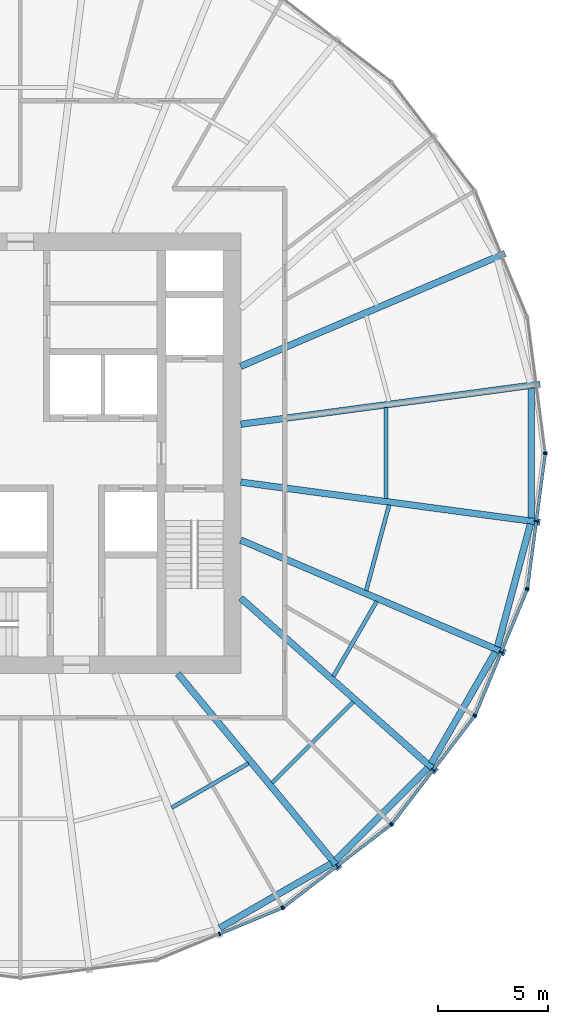
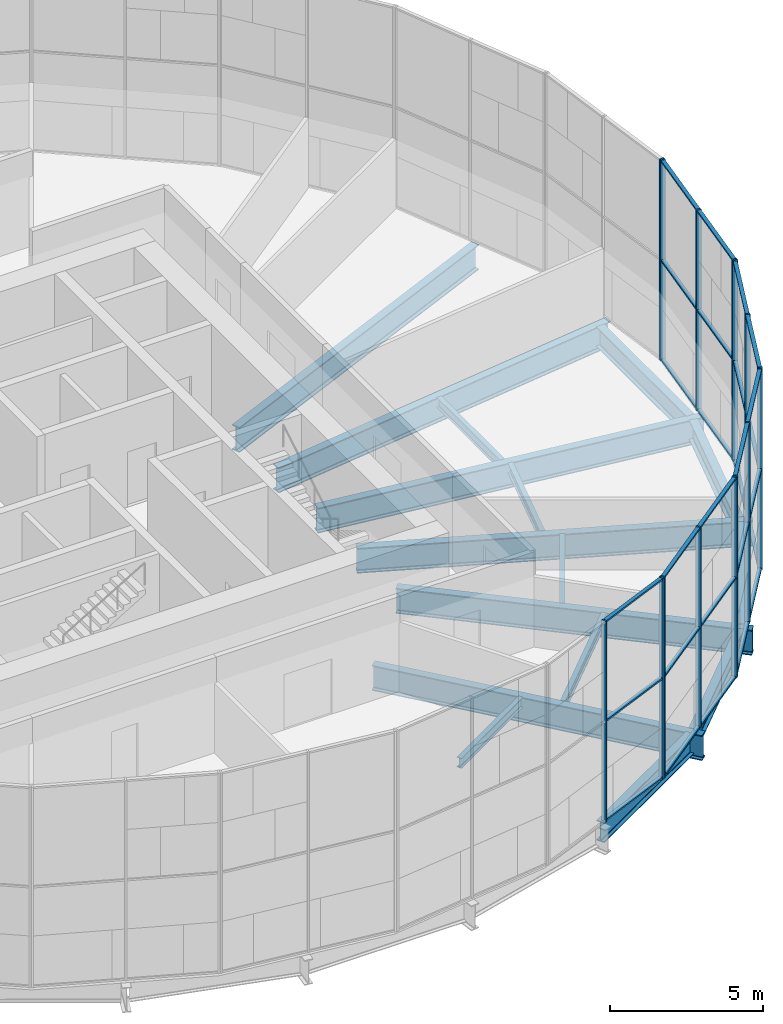
# One storey, part 4 of 18: 42 members, 16 beams, 6 elements without a shape of their own.
"""IFC4 building model written with IfcOpenShell, lengths in metres."""

from ifc_helpers import new_model, si_unit, direction, frame, origin, origin_2d, place, context, subcontext, project, spatial, rectangle, i_section, extrude, material, material_profile, profile_set, type_object, element, aggregate, save


model = new_model("IFC4")

# Units and contexts
model_context = context("Model", 3, precision=1e-05, world=origin(), true_north=direction((0.0, 1.0)))
body_context = subcontext(model_context, "Body", "Model", "MODEL_VIEW")
ifc_project = project(units=[si_unit("LENGTHUNIT", "METRE"), si_unit("AREAUNIT", "SQUARE_METRE"), si_unit("VOLUMEUNIT", "CUBIC_METRE"), si_unit("PLANEANGLEUNIT", "RADIAN"), si_unit("MASSUNIT", "GRAM", prefix="KILO")], contexts=[model_context])

# Site, building, storey
site_placement = place(None, origin())
site = spatial("IfcSite", under=ifc_project, at=site_placement, CompositionType="ELEMENT")
building_placement = place(site_placement, origin())
building = spatial("IfcBuilding", under=site, at=building_placement, Name="Golbaran Civic Tower", CompositionType="ELEMENT")
storey_placement = place(building_placement, frame((0.0, 0.0, 61.0)))
storey = spatial("IfcBuildingStorey", under=building, at=storey_placement, Name="L14", CompositionType="ELEMENT", Elevation=61.0)

# Beams
ifc_material_1 = material(Name="Steel S355", Category="steel")
ifc_material_profile_1 = material_profile(ifc_material_1, i_section(OverallWidth=0.300048828125, OverallDepth=0.800048828125, WebThickness=0.017578125, FlangeThickness=0.032958984375, FilletRadius=0.030029296875, at=origin_2d()), Name="HEB 800")
ifc_profile_set_1 = profile_set([ifc_material_profile_1], Name="Steel S355")
beam_type_1 = type_object("IfcBeamType", Name="EDGE BEAM HEB 800", PredefinedType="BEAM", material=ifc_profile_set_1)
beam_1_placement = place(storey_placement, frame((9.04541015625, -21.544677734375, -0.60009765625), z_axis=(0.866302963931, 0.499518943269, 0.0), x_axis=(-0.499518943269, 0.866302963931, 0.0)))
element("IfcBeam", 1, at=beam_1_placement, inside=storey, type_object=beam_type_1, Name="Edge beam 292.43 L14", PredefinedType="BEAM", context=body_context, shape_type="SweptSolid", body=[
    extrude(i_section(OverallWidth=0.300048828125, OverallDepth=0.800048828125, WebThickness=0.017578125, FlangeThickness=0.032958984375, FilletRadius=0.030029296875, at=origin_2d()), origin(), (0.0, 0.0, 1.0), 5.850830078125),
])
beam_2_placement = place(storey_placement, frame((14.320556640625, -18.4638671875, -0.60009765625), z_axis=(0.706526914156, 0.707686173083, 0.0), x_axis=(-0.707686173083, 0.706526914156, 0.0)))
element("IfcBeam", 2, at=beam_2_placement, inside=storey, type_object=beam_type_1, Name="Edge beam 307.57 L14", PredefinedType="BEAM", context=body_context, shape_type="SweptSolid", body=[
    extrude(i_section(OverallWidth=0.300048828125, OverallDepth=0.800048828125, WebThickness=0.017578125, FlangeThickness=0.032958984375, FilletRadius=0.030029296875, at=origin_2d()), origin(), (0.0, 0.0, 1.0), 5.896728515625),
])
beam_3_placement = place(storey_placement, frame((18.64501953125, -14.08349609375, -0.60009765625), z_axis=(0.49836662023, 0.866966384493, 0.0), x_axis=(-0.866966384493, 0.49836662023, 0.0)))
element("IfcBeam", 3, at=beam_3_placement, inside=storey, type_object=beam_type_1, Name="Edge beam 322.43 L14", PredefinedType="BEAM", context=body_context, shape_type="SweptSolid", body=[
    extrude(i_section(OverallWidth=0.300048828125, OverallDepth=0.800048828125, WebThickness=0.017578125, FlangeThickness=0.032958984375, FilletRadius=0.030029296875, at=origin_2d()), origin(), (0.0, 0.0, 1.0), 5.837890625),
])
beam_4_placement = place(storey_placement, frame((21.653564453125, -8.781982421875, -0.60009765625), z_axis=(0.258518279103, 0.966006366112, 0.0), x_axis=(-0.966006366112, 0.258518279103, 0.0)))
element("IfcBeam", 4, at=beam_4_placement, inside=storey, type_object=beam_type_1, Name="Edge beam 337.57 L14", PredefinedType="BEAM", context=body_context, shape_type="SweptSolid", body=[
    extrude(i_section(OverallWidth=0.300048828125, OverallDepth=0.800048828125, WebThickness=0.017578125, FlangeThickness=0.032958984375, FilletRadius=0.030029296875, at=origin_2d()), origin(), (0.0, 0.0, 1.0), 5.771240234375),
])
beam_5_placement = place(storey_placement, frame((23.179443359375, -2.94921875, -0.60009765625), z_axis=(0.0, 1.0, 0.0), x_axis=(-1.0, 0.0, 0.0)))
element("IfcBeam", 5, at=beam_5_placement, inside=storey, type_object=beam_type_1, Name="Edge beam 352.43 L14", PredefinedType="BEAM", context=body_context, shape_type="SweptSolid", body=[
    extrude(i_section(OverallWidth=0.300048828125, OverallDepth=0.800048828125, WebThickness=0.017578125, FlangeThickness=0.032958984375, FilletRadius=0.030029296875, at=origin_2d()), origin(), (0.0, 0.0, 1.0), 5.8984375),
])
ifc_material_profile_2 = material_profile(ifc_material_1, i_section(OverallWidth=0.179931640625, OverallDepth=0.39990234375, WebThickness=0.008544921875, FlangeThickness=0.013427734375, FilletRadius=0.02099609375, at=origin_2d()), Name="IPE 400")
ifc_profile_set_2 = profile_set([ifc_material_profile_2], Name="Steel S355")
beam_type_2 = type_object("IfcBeamType", Name="FLOOR INFILL BEAM IPE 400", PredefinedType="BEAM", material=ifc_profile_set_2)
beam_6_placement = place(storey_placement, frame((6.8623046875, -16.089111328125, -0.39990234375), z_axis=(0.866033119956, 0.499986634961, 0.0), x_axis=(-0.499986634961, 0.866033119956, 0.0)))
element("IfcBeam", 6, at=beam_6_placement, inside=storey, type_object=beam_type_2, Name="Infill beam 300.00 L14", PredefinedType="BEAM", context=body_context, shape_type="SweptSolid", body=[
    extrude(i_section(OverallWidth=0.179931640625, OverallDepth=0.39990234375, WebThickness=0.008544921875, FlangeThickness=0.013427734375, FilletRadius=0.02099609375, at=origin_2d()), origin(), (0.0, 0.0, 1.0), 4.0263671875),
])
beam_7_placement = place(storey_placement, frame((11.424072265625, -14.96630859375, -0.39990234375), z_axis=(0.707106781187, 0.707106781187, 0.0), x_axis=(-0.707106781187, 0.707106781187, 0.0)))
element("IfcBeam", 7, at=beam_7_placement, inside=storey, type_object=beam_type_2, Name="Infill beam 315.00 L14", PredefinedType="BEAM", context=body_context, shape_type="SweptSolid", body=[
    extrude(i_section(OverallWidth=0.179931640625, OverallDepth=0.39990234375, WebThickness=0.008544921875, FlangeThickness=0.013427734375, FilletRadius=0.02099609375, at=origin_2d()), origin(), (0.0, 0.0, 1.0), 5.20654296875),
])
beam_8_placement = place(storey_placement, frame((14.201416015625, -10.1328125, -0.39990234375), z_axis=(0.499985342893, 0.866033865904, 0.0), x_axis=(-0.866033865904, 0.499985342893, 0.0)))
element("IfcBeam", 8, at=beam_8_placement, inside=storey, type_object=beam_type_2, Name="Infill beam 330.00 L14", PredefinedType="BEAM", context=body_context, shape_type="SweptSolid", body=[
    extrude(i_section(OverallWidth=0.179931640625, OverallDepth=0.39990234375, WebThickness=0.008544921875, FlangeThickness=0.013427734375, FilletRadius=0.02099609375, at=origin_2d()), origin(), (0.0, 0.0, 1.0), 3.93896484375),
])
beam_9_placement = place(storey_placement, frame((15.69140625, -6.23388671875, -0.39990234375), z_axis=(0.258863474337, 0.965913920416, 0.0), x_axis=(-0.965913920416, 0.258863474337, 0.0)))
element("IfcBeam", 9, at=beam_9_placement, inside=storey, type_object=beam_type_2, Name="Infill beam 345.00 L14", PredefinedType="BEAM", context=body_context, shape_type="SweptSolid", body=[
    extrude(i_section(OverallWidth=0.179931640625, OverallDepth=0.39990234375, WebThickness=0.008544921875, FlangeThickness=0.013427734375, FilletRadius=0.02099609375, at=origin_2d()), origin(), (0.0, 0.0, 1.0), 4.0234375),
])
beam_10_placement = place(storey_placement, frame((16.58984375, -2.066162109375, -0.39990234375), z_axis=(0.0, 1.0, 0.0), x_axis=(-1.0, 0.0, 0.0)))
element("IfcBeam", 10, at=beam_10_placement, inside=storey, type_object=beam_type_2, Name="Infill beam 0.00 L14", PredefinedType="BEAM", context=body_context, shape_type="SweptSolid", body=[
    extrude(i_section(OverallWidth=0.179931640625, OverallDepth=0.39990234375, WebThickness=0.008544921875, FlangeThickness=0.013427734375, FilletRadius=0.02099609375, at=origin_2d()), origin(), (0.0, 0.0, 1.0), 4.13232421875),
])

# Curtain wall, member
ifc_material_2 = material(Name="Aluminium and glass", Category="aluminium")
curtain_wall_type = type_object("IfcCurtainWallType", Name="INNER SKIN CURTAIN WALL", PredefinedType="NOTDEFINED", material=ifc_material_2)
curtain_wall_1_placement = place(storey_placement, origin())
curtain_wall_1 = element("IfcCurtainWall", 11, at=curtain_wall_1_placement, inside=storey, type_object=curtain_wall_type, Name="Inner skin L14 facet 1 CW1", ObjectType="INNER SKIN", PredefinedType="USERDEFINED")
ifc_material_3 = material(Name="Aluminium", Category="aluminium")
ifc_material_profile_3 = material_profile(ifc_material_3, rectangle(XDim=0.179931640625, YDim=0.06494140625, at=origin_2d()), Name="INNER SKIN CURTAIN WALL MULLION")
ifc_profile_set_3 = profile_set([ifc_material_profile_3], Name="Aluminium")
member_type_1 = type_object("IfcMemberType", Name="INNER SKIN CURTAIN WALL MULLION", PredefinedType="MULLION", material=ifc_profile_set_3)
member_1_placement = place(storey_placement, frame((23.812744140625, 0.0322265625, 0.0), z_axis=(0.0, 0.0, 1.0), x_axis=(-0.991444861378, -0.130526192185, 0.0)))
member_1 = element("IfcMember", 12, at=member_1_placement, type_object=member_type_1, Name="CW1 mullion 1", PredefinedType="MULLION", context=body_context, shape_type="SweptSolid", body=[
    extrude(rectangle(XDim=0.179931640625, YDim=0.06494140625, at=origin_2d()), origin(), (0.0, 0.0, 1.0), 8.0),
])
aggregate(curtain_wall_1, [member_1])

# Curtain wall, members
curtain_wall_2_placement = place(storey_placement, origin())
curtain_wall_2 = element("IfcCurtainWall", 13, at=curtain_wall_2_placement, inside=storey, type_object=curtain_wall_type, Name="Inner skin L14 facet 20 CW1", ObjectType="INNER SKIN", PredefinedType="USERDEFINED")
member_2_placement = place(storey_placement, frame((9.036376953125, -21.815673828125, 0.0), z_axis=(0.0, 0.0, 1.0), x_axis=(-0.382683432381, 0.923879532505, 0.0)))
member_2 = element("IfcMember", 14, at=member_2_placement, type_object=member_type_1, Name="CW1 mullion 2", PredefinedType="MULLION", context=body_context, shape_type="SweptSolid", body=[
    extrude(rectangle(XDim=0.179931640625, YDim=0.06494140625, at=origin_2d()), origin(), (0.0, 0.0, 1.0), 8.0),
])
member_3_placement = place(storey_placement, frame((11.87841796875, -20.638671875, 0.0), z_axis=(0.0, 0.0, 1.0), x_axis=(-0.382683432381, 0.923879532505, 0.0)))
member_3 = element("IfcMember", 15, at=member_3_placement, type_object=member_type_1, Name="CW1 mullion 3", PredefinedType="MULLION", context=body_context, shape_type="SweptSolid", body=[
    extrude(rectangle(XDim=0.179931640625, YDim=0.06494140625, at=origin_2d()), origin(), (0.0, 0.0, 1.0), 8.0),
])

curtain_wall_3_placement = place(storey_placement, origin())
curtain_wall_3 = element("IfcCurtainWall", 16, at=curtain_wall_3_placement, inside=storey, type_object=curtain_wall_type, Name="Inner skin L14 facet 21 CW1", ObjectType="INNER SKIN", PredefinedType="USERDEFINED")
member_4_placement = place(storey_placement, frame((11.934326171875, -20.6064453125, 0.0), z_axis=(0.0, 0.0, 1.0), x_axis=(-0.608761428926, 0.793353340355, 0.0)))
member_4 = element("IfcMember", 17, at=member_4_placement, type_object=member_type_1, Name="CW1 mullion 1", PredefinedType="MULLION", context=body_context, shape_type="SweptSolid", body=[
    extrude(rectangle(XDim=0.179931640625, YDim=0.06494140625, at=origin_2d()), origin(), (0.0, 0.0, 1.0), 8.0),
])
member_5_placement = place(storey_placement, frame((14.374755859375, -18.733642578125, 0.0), z_axis=(0.0, 0.0, 1.0), x_axis=(-0.608761428926, 0.793353340355, 0.0)))
member_5 = element("IfcMember", 18, at=member_5_placement, type_object=member_type_1, Name="CW1 mullion 2", PredefinedType="MULLION", context=body_context, shape_type="SweptSolid", body=[
    extrude(rectangle(XDim=0.179931640625, YDim=0.06494140625, at=origin_2d()), origin(), (0.0, 0.0, 1.0), 8.0),
])
member_6_placement = place(storey_placement, frame((16.8154296875, -16.86083984375, 0.0), z_axis=(0.0, 0.0, 1.0), x_axis=(-0.608761428926, 0.793353340355, 0.0)))
member_6 = element("IfcMember", 19, at=member_6_placement, type_object=member_type_1, Name="CW1 mullion 3", PredefinedType="MULLION", context=body_context, shape_type="SweptSolid", body=[
    extrude(rectangle(XDim=0.179931640625, YDim=0.06494140625, at=origin_2d()), origin(), (0.0, 0.0, 1.0), 8.0),
])

curtain_wall_4_placement = place(storey_placement, origin())
curtain_wall_4 = element("IfcCurtainWall", 20, at=curtain_wall_4_placement, inside=storey, type_object=curtain_wall_type, Name="Inner skin L14 facet 22 CW1", ObjectType="INNER SKIN", PredefinedType="USERDEFINED")
member_7_placement = place(storey_placement, frame((16.86083984375, -16.8154296875, 0.0), z_axis=(0.0, 0.0, 1.0), x_axis=(-0.793353340355, 0.608761428926, 0.0)))
member_7 = element("IfcMember", 21, at=member_7_placement, type_object=member_type_1, Name="CW1 mullion 1", PredefinedType="MULLION", context=body_context, shape_type="SweptSolid", body=[
    extrude(rectangle(XDim=0.179931640625, YDim=0.06494140625, at=origin_2d()), origin(), (0.0, 0.0, 1.0), 8.0),
])
member_8_placement = place(storey_placement, frame((18.733642578125, -14.374755859375, 0.0), z_axis=(0.0, 0.0, 1.0), x_axis=(-0.793353340355, 0.608761428926, 0.0)))
member_8 = element("IfcMember", 22, at=member_8_placement, type_object=member_type_1, Name="CW1 mullion 2", PredefinedType="MULLION", context=body_context, shape_type="SweptSolid", body=[
    extrude(rectangle(XDim=0.179931640625, YDim=0.06494140625, at=origin_2d()), origin(), (0.0, 0.0, 1.0), 8.0),
])
member_9_placement = place(storey_placement, frame((20.6064453125, -11.934326171875, 0.0), z_axis=(0.0, 0.0, 1.0), x_axis=(-0.793353340355, 0.608761428926, 0.0)))
member_9 = element("IfcMember", 23, at=member_9_placement, type_object=member_type_1, Name="CW1 mullion 3", PredefinedType="MULLION", context=body_context, shape_type="SweptSolid", body=[
    extrude(rectangle(XDim=0.179931640625, YDim=0.06494140625, at=origin_2d()), origin(), (0.0, 0.0, 1.0), 8.0),
])

curtain_wall_5_placement = place(storey_placement, origin())
curtain_wall_5 = element("IfcCurtainWall", 24, at=curtain_wall_5_placement, inside=storey, type_object=curtain_wall_type, Name="Inner skin L14 facet 23 CW1", ObjectType="INNER SKIN", PredefinedType="USERDEFINED")
member_10_placement = place(storey_placement, frame((20.638671875, -11.87841796875, 0.0), z_axis=(0.0, 0.0, 1.0), x_axis=(-0.923879532505, 0.382683432381, 0.0)))
member_10 = element("IfcMember", 25, at=member_10_placement, type_object=member_type_1, Name="CW1 mullion 1", PredefinedType="MULLION", context=body_context, shape_type="SweptSolid", body=[
    extrude(rectangle(XDim=0.179931640625, YDim=0.06494140625, at=origin_2d()), origin(), (0.0, 0.0, 1.0), 8.0),
])
member_11_placement = place(storey_placement, frame((21.815673828125, -9.036376953125, 0.0), z_axis=(0.0, 0.0, 1.0), x_axis=(-0.923879532505, 0.382683432381, 0.0)))
member_11 = element("IfcMember", 26, at=member_11_placement, type_object=member_type_1, Name="CW1 mullion 2", PredefinedType="MULLION", context=body_context, shape_type="SweptSolid", body=[
    extrude(rectangle(XDim=0.179931640625, YDim=0.06494140625, at=origin_2d()), origin(), (0.0, 0.0, 1.0), 8.0),
])
member_12_placement = place(storey_placement, frame((22.992919921875, -6.1943359375, 0.0), z_axis=(0.0, 0.0, 1.0), x_axis=(-0.923879532505, 0.382683432381, 0.0)))
member_12 = element("IfcMember", 27, at=member_12_placement, type_object=member_type_1, Name="CW1 mullion 3", PredefinedType="MULLION", context=body_context, shape_type="SweptSolid", body=[
    extrude(rectangle(XDim=0.179931640625, YDim=0.06494140625, at=origin_2d()), origin(), (0.0, 0.0, 1.0), 8.0),
])

curtain_wall_6_placement = place(storey_placement, origin())
curtain_wall_6 = element("IfcCurtainWall", 28, at=curtain_wall_6_placement, inside=storey, type_object=curtain_wall_type, Name="Inner skin L14 facet 24 CW1", ObjectType="INNER SKIN", PredefinedType="USERDEFINED")
member_13_placement = place(storey_placement, frame((23.009765625, -6.132080078125, 0.0), z_axis=(0.0, 0.0, 1.0), x_axis=(-0.991444861378, 0.130526192185, 0.0)))
member_13 = element("IfcMember", 29, at=member_13_placement, type_object=member_type_1, Name="CW1 mullion 1", PredefinedType="MULLION", context=body_context, shape_type="SweptSolid", body=[
    extrude(rectangle(XDim=0.179931640625, YDim=0.06494140625, at=origin_2d()), origin(), (0.0, 0.0, 1.0), 8.0),
])
member_14_placement = place(storey_placement, frame((23.4111328125, -3.08203125, 0.0), z_axis=(0.0, 0.0, 1.0), x_axis=(-0.991444861378, 0.130526192185, 0.0)))
member_14 = element("IfcMember", 30, at=member_14_placement, type_object=member_type_1, Name="CW1 mullion 2", PredefinedType="MULLION", context=body_context, shape_type="SweptSolid", body=[
    extrude(rectangle(XDim=0.179931640625, YDim=0.06494140625, at=origin_2d()), origin(), (0.0, 0.0, 1.0), 8.0),
])
member_15_placement = place(storey_placement, frame((23.812744140625, -0.0322265625, 0.0), z_axis=(0.0, 0.0, 1.0), x_axis=(-0.991444861378, 0.130526192185, 0.0)))
member_15 = element("IfcMember", 31, at=member_15_placement, type_object=member_type_1, Name="CW1 mullion 3", PredefinedType="MULLION", context=body_context, shape_type="SweptSolid", body=[
    extrude(rectangle(XDim=0.179931640625, YDim=0.06494140625, at=origin_2d()), origin(), (0.0, 0.0, 1.0), 8.0),
])

# Member
ifc_material_profile_4 = material_profile(ifc_material_3, rectangle(XDim=0.139892578125, YDim=0.06494140625, at=origin_2d()), Name="INNER SKIN CURTAIN WALL TRANSOM")
ifc_profile_set_4 = profile_set([ifc_material_profile_4], Name="Aluminium")
member_type_2 = type_object("IfcMemberType", Name="INNER SKIN CURTAIN WALL TRANSOM", PredefinedType="USERDEFINED", material=ifc_profile_set_4)
member_16_placement = place(storey_placement, frame((9.06640625, -21.803466796875, 0.032470703125), z_axis=(0.923878487466, 0.382685955317, 0.0), x_axis=(-0.382685955317, 0.923878487466, 0.0)))
member_16 = element("IfcMember", 32, at=member_16_placement, type_object=member_type_2, Name="CW1 transom 2.1", ObjectType="TRANSOM", PredefinedType="USERDEFINED", context=body_context, shape_type="SweptSolid", body=[
    extrude(rectangle(XDim=0.139892578125, YDim=0.06494140625, at=origin_2d()), origin(), (0.0, 0.0, 1.0), 3.01123046875),
])

member_17_placement = place(storey_placement, frame((9.06640625, -21.803466796875, 4.0), z_axis=(0.923878487466, 0.382685955317, 0.0), x_axis=(-0.382685955317, 0.923878487466, 0.0)))
member_17 = element("IfcMember", 33, at=member_17_placement, type_object=member_type_2, Name="CW1 transom 2.2", ObjectType="TRANSOM", PredefinedType="USERDEFINED", context=body_context, shape_type="SweptSolid", body=[
    extrude(rectangle(XDim=0.139892578125, YDim=0.06494140625, at=origin_2d()), origin(), (0.0, 0.0, 1.0), 3.01123046875),
])

member_18_placement = place(storey_placement, frame((9.06640625, -21.803466796875, 7.967529296875), z_axis=(0.923878487466, 0.382685955317, 0.0), x_axis=(-0.382685955317, 0.923878487466, 0.0)))
member_18 = element("IfcMember", 34, at=member_18_placement, type_object=member_type_2, Name="CW1 transom 2.3", ObjectType="TRANSOM", PredefinedType="USERDEFINED", context=body_context, shape_type="SweptSolid", body=[
    extrude(rectangle(XDim=0.139892578125, YDim=0.06494140625, at=origin_2d()), origin(), (0.0, 0.0, 1.0), 3.01123046875),
])

aggregate(curtain_wall_2, [member_2, member_3, member_16, member_17, member_18])

member_19_placement = place(storey_placement, frame((11.9599609375, -20.586669921875, 0.032470703125), z_axis=(0.793355764091, 0.608758270239, 0.0), x_axis=(-0.608758270239, 0.793355764091, 0.0)))
member_19 = element("IfcMember", 35, at=member_19_placement, type_object=member_type_2, Name="CW1 transom 1.1", ObjectType="TRANSOM", PredefinedType="USERDEFINED", context=body_context, shape_type="SweptSolid", body=[
    extrude(rectangle(XDim=0.139892578125, YDim=0.06494140625, at=origin_2d()), origin(), (0.0, 0.0, 1.0), 3.011474609375),
])

member_20_placement = place(storey_placement, frame((11.9599609375, -20.586669921875, 4.0), z_axis=(0.793355764091, 0.608758270239, 0.0), x_axis=(-0.608758270239, 0.793355764091, 0.0)))
member_20 = element("IfcMember", 36, at=member_20_placement, type_object=member_type_2, Name="CW1 transom 1.2", ObjectType="TRANSOM", PredefinedType="USERDEFINED", context=body_context, shape_type="SweptSolid", body=[
    extrude(rectangle(XDim=0.139892578125, YDim=0.06494140625, at=origin_2d()), origin(), (0.0, 0.0, 1.0), 3.011474609375),
])

member_21_placement = place(storey_placement, frame((11.9599609375, -20.586669921875, 7.967529296875), z_axis=(0.793355764091, 0.608758270239, 0.0), x_axis=(-0.608758270239, 0.793355764091, 0.0)))
member_21 = element("IfcMember", 37, at=member_21_placement, type_object=member_type_2, Name="CW1 transom 1.3", ObjectType="TRANSOM", PredefinedType="USERDEFINED", context=body_context, shape_type="SweptSolid", body=[
    extrude(rectangle(XDim=0.139892578125, YDim=0.06494140625, at=origin_2d()), origin(), (0.0, 0.0, 1.0), 3.011474609375),
])

member_22_placement = place(storey_placement, frame((14.400634765625, -18.7138671875, 0.032470703125), z_axis=(0.793325717554, 0.60879742597, 0.0), x_axis=(-0.60879742597, 0.793325717554, 0.0)))
member_22 = element("IfcMember", 38, at=member_22_placement, type_object=member_type_2, Name="CW1 transom 2.1", ObjectType="TRANSOM", PredefinedType="USERDEFINED", context=body_context, shape_type="SweptSolid", body=[
    extrude(rectangle(XDim=0.139892578125, YDim=0.06494140625, at=origin_2d()), origin(), (0.0, 0.0, 1.0), 3.01123046875),
])

member_23_placement = place(storey_placement, frame((14.400634765625, -18.7138671875, 4.0), z_axis=(0.793325717554, 0.60879742597, 0.0), x_axis=(-0.60879742597, 0.793325717554, 0.0)))
member_23 = element("IfcMember", 39, at=member_23_placement, type_object=member_type_2, Name="CW1 transom 2.2", ObjectType="TRANSOM", PredefinedType="USERDEFINED", context=body_context, shape_type="SweptSolid", body=[
    extrude(rectangle(XDim=0.139892578125, YDim=0.06494140625, at=origin_2d()), origin(), (0.0, 0.0, 1.0), 3.01123046875),
])

member_24_placement = place(storey_placement, frame((14.400634765625, -18.7138671875, 7.967529296875), z_axis=(0.793325717554, 0.60879742597, 0.0), x_axis=(-0.60879742597, 0.793325717554, 0.0)))
member_24 = element("IfcMember", 40, at=member_24_placement, type_object=member_type_2, Name="CW1 transom 2.3", ObjectType="TRANSOM", PredefinedType="USERDEFINED", context=body_context, shape_type="SweptSolid", body=[
    extrude(rectangle(XDim=0.139892578125, YDim=0.06494140625, at=origin_2d()), origin(), (0.0, 0.0, 1.0), 3.01123046875),
])

aggregate(curtain_wall_3, [member_4, member_5, member_6, member_19, member_20, member_21, member_22, member_23, member_24])

member_25_placement = place(storey_placement, frame((16.880615234375, -16.78955078125, 0.032470703125), z_axis=(0.60879742597, 0.793325717554, 0.0), x_axis=(-0.793325717554, 0.60879742597, 0.0)))
member_25 = element("IfcMember", 41, at=member_25_placement, type_object=member_type_2, Name="CW1 transom 1.1", ObjectType="TRANSOM", PredefinedType="USERDEFINED", context=body_context, shape_type="SweptSolid", body=[
    extrude(rectangle(XDim=0.139892578125, YDim=0.06494140625, at=origin_2d()), origin(), (0.0, 0.0, 1.0), 3.01123046875),
])

member_26_placement = place(storey_placement, frame((16.880615234375, -16.78955078125, 4.0), z_axis=(0.60879742597, 0.793325717554, 0.0), x_axis=(-0.793325717554, 0.60879742597, 0.0)))
member_26 = element("IfcMember", 42, at=member_26_placement, type_object=member_type_2, Name="CW1 transom 1.2", ObjectType="TRANSOM", PredefinedType="USERDEFINED", context=body_context, shape_type="SweptSolid", body=[
    extrude(rectangle(XDim=0.139892578125, YDim=0.06494140625, at=origin_2d()), origin(), (0.0, 0.0, 1.0), 3.01123046875),
])

member_27_placement = place(storey_placement, frame((16.880615234375, -16.78955078125, 7.967529296875), z_axis=(0.60879742597, 0.793325717554, 0.0), x_axis=(-0.793325717554, 0.60879742597, 0.0)))
member_27 = element("IfcMember", 43, at=member_27_placement, type_object=member_type_2, Name="CW1 transom 1.3", ObjectType="TRANSOM", PredefinedType="USERDEFINED", context=body_context, shape_type="SweptSolid", body=[
    extrude(rectangle(XDim=0.139892578125, YDim=0.06494140625, at=origin_2d()), origin(), (0.0, 0.0, 1.0), 3.01123046875),
])

member_28_placement = place(storey_placement, frame((18.75341796875, -14.34912109375, 0.032470703125), z_axis=(0.608758270239, 0.793355764091, 0.0), x_axis=(-0.793355764091, 0.608758270239, 0.0)))
member_28 = element("IfcMember", 44, at=member_28_placement, type_object=member_type_2, Name="CW1 transom 2.1", ObjectType="TRANSOM", PredefinedType="USERDEFINED", context=body_context, shape_type="SweptSolid", body=[
    extrude(rectangle(XDim=0.139892578125, YDim=0.06494140625, at=origin_2d()), origin(), (0.0, 0.0, 1.0), 3.011474609375),
])

member_29_placement = place(storey_placement, frame((18.75341796875, -14.34912109375, 4.0), z_axis=(0.608758270239, 0.793355764091, 0.0), x_axis=(-0.793355764091, 0.608758270239, 0.0)))
member_29 = element("IfcMember", 45, at=member_29_placement, type_object=member_type_2, Name="CW1 transom 2.2", ObjectType="TRANSOM", PredefinedType="USERDEFINED", context=body_context, shape_type="SweptSolid", body=[
    extrude(rectangle(XDim=0.139892578125, YDim=0.06494140625, at=origin_2d()), origin(), (0.0, 0.0, 1.0), 3.011474609375),
])

member_30_placement = place(storey_placement, frame((18.75341796875, -14.34912109375, 7.967529296875), z_axis=(0.608758270239, 0.793355764091, 0.0), x_axis=(-0.793355764091, 0.608758270239, 0.0)))
member_30 = element("IfcMember", 46, at=member_30_placement, type_object=member_type_2, Name="CW1 transom 2.3", ObjectType="TRANSOM", PredefinedType="USERDEFINED", context=body_context, shape_type="SweptSolid", body=[
    extrude(rectangle(XDim=0.139892578125, YDim=0.06494140625, at=origin_2d()), origin(), (0.0, 0.0, 1.0), 3.011474609375),
])

aggregate(curtain_wall_4, [member_7, member_8, member_9, member_25, member_26, member_27, member_28, member_29, member_30])

member_31_placement = place(storey_placement, frame((20.651123046875, -11.848388671875, 0.032470703125), z_axis=(0.382685955317, 0.923878487466, 0.0), x_axis=(-0.923878487466, 0.382685955317, 0.0)))
member_31 = element("IfcMember", 47, at=member_31_placement, type_object=member_type_2, Name="CW1 transom 1.1", ObjectType="TRANSOM", PredefinedType="USERDEFINED", context=body_context, shape_type="SweptSolid", body=[
    extrude(rectangle(XDim=0.139892578125, YDim=0.06494140625, at=origin_2d()), origin(), (0.0, 0.0, 1.0), 3.01123046875),
])

member_32_placement = place(storey_placement, frame((20.651123046875, -11.848388671875, 4.0), z_axis=(0.382685955317, 0.923878487466, 0.0), x_axis=(-0.923878487466, 0.382685955317, 0.0)))
member_32 = element("IfcMember", 48, at=member_32_placement, type_object=member_type_2, Name="CW1 transom 1.2", ObjectType="TRANSOM", PredefinedType="USERDEFINED", context=body_context, shape_type="SweptSolid", body=[
    extrude(rectangle(XDim=0.139892578125, YDim=0.06494140625, at=origin_2d()), origin(), (0.0, 0.0, 1.0), 3.01123046875),
])

member_33_placement = place(storey_placement, frame((20.651123046875, -11.848388671875, 7.967529296875), z_axis=(0.382685955317, 0.923878487466, 0.0), x_axis=(-0.923878487466, 0.382685955317, 0.0)))
member_33 = element("IfcMember", 49, at=member_33_placement, type_object=member_type_2, Name="CW1 transom 1.3", ObjectType="TRANSOM", PredefinedType="USERDEFINED", context=body_context, shape_type="SweptSolid", body=[
    extrude(rectangle(XDim=0.139892578125, YDim=0.06494140625, at=origin_2d()), origin(), (0.0, 0.0, 1.0), 3.01123046875),
])

member_34_placement = place(storey_placement, frame((21.828125, -9.00634765625, 0.032470703125), z_axis=(0.382685955317, 0.923878487466, 0.0), x_axis=(-0.923878487466, 0.382685955317, 0.0)))
member_34 = element("IfcMember", 50, at=member_34_placement, type_object=member_type_2, Name="CW1 transom 2.1", ObjectType="TRANSOM", PredefinedType="USERDEFINED", context=body_context, shape_type="SweptSolid", body=[
    extrude(rectangle(XDim=0.139892578125, YDim=0.06494140625, at=origin_2d()), origin(), (0.0, 0.0, 1.0), 3.01123046875),
])

member_35_placement = place(storey_placement, frame((21.828125, -9.00634765625, 4.0), z_axis=(0.382685955317, 0.923878487466, 0.0), x_axis=(-0.923878487466, 0.382685955317, 0.0)))
member_35 = element("IfcMember", 51, at=member_35_placement, type_object=member_type_2, Name="CW1 transom 2.2", ObjectType="TRANSOM", PredefinedType="USERDEFINED", context=body_context, shape_type="SweptSolid", body=[
    extrude(rectangle(XDim=0.139892578125, YDim=0.06494140625, at=origin_2d()), origin(), (0.0, 0.0, 1.0), 3.01123046875),
])

member_36_placement = place(storey_placement, frame((21.828125, -9.00634765625, 7.967529296875), z_axis=(0.382685955317, 0.923878487466, 0.0), x_axis=(-0.923878487466, 0.382685955317, 0.0)))
member_36 = element("IfcMember", 52, at=member_36_placement, type_object=member_type_2, Name="CW1 transom 2.3", ObjectType="TRANSOM", PredefinedType="USERDEFINED", context=body_context, shape_type="SweptSolid", body=[
    extrude(rectangle(XDim=0.139892578125, YDim=0.06494140625, at=origin_2d()), origin(), (0.0, 0.0, 1.0), 3.01123046875),
])

aggregate(curtain_wall_5, [member_10, member_11, member_12, member_31, member_32, member_33, member_34, member_35, member_36])

member_37_placement = place(storey_placement, frame((23.013916015625, -6.099853515625, 0.032470703125), z_axis=(0.130527914125, 0.991444634679, 0.0), x_axis=(-0.991444634679, 0.130527914125, 0.0)))
member_37 = element("IfcMember", 53, at=member_37_placement, type_object=member_type_2, Name="CW1 transom 1.1", ObjectType="TRANSOM", PredefinedType="USERDEFINED", context=body_context, shape_type="SweptSolid", body=[
    extrude(rectangle(XDim=0.139892578125, YDim=0.06494140625, at=origin_2d()), origin(), (0.0, 0.0, 1.0), 3.011474609375),
])

member_38_placement = place(storey_placement, frame((23.013916015625, -6.099853515625, 4.0), z_axis=(0.130527914125, 0.991444634679, 0.0), x_axis=(-0.991444634679, 0.130527914125, 0.0)))
member_38 = element("IfcMember", 54, at=member_38_placement, type_object=member_type_2, Name="CW1 transom 1.2", ObjectType="TRANSOM", PredefinedType="USERDEFINED", context=body_context, shape_type="SweptSolid", body=[
    extrude(rectangle(XDim=0.139892578125, YDim=0.06494140625, at=origin_2d()), origin(), (0.0, 0.0, 1.0), 3.011474609375),
])

member_39_placement = place(storey_placement, frame((23.013916015625, -6.099853515625, 7.967529296875), z_axis=(0.130527914125, 0.991444634679, 0.0), x_axis=(-0.991444634679, 0.130527914125, 0.0)))
member_39 = element("IfcMember", 55, at=member_39_placement, type_object=member_type_2, Name="CW1 transom 1.3", ObjectType="TRANSOM", PredefinedType="USERDEFINED", context=body_context, shape_type="SweptSolid", body=[
    extrude(rectangle(XDim=0.139892578125, YDim=0.06494140625, at=origin_2d()), origin(), (0.0, 0.0, 1.0), 3.011474609375),
])

member_40_placement = place(storey_placement, frame((23.41552734375, -3.0498046875, 0.032470703125), z_axis=(0.130538406746, 0.991443253224, 0.0), x_axis=(-0.991443253224, 0.130538406746, 0.0)))
member_40 = element("IfcMember", 56, at=member_40_placement, type_object=member_type_2, Name="CW1 transom 2.1", ObjectType="TRANSOM", PredefinedType="USERDEFINED", context=body_context, shape_type="SweptSolid", body=[
    extrude(rectangle(XDim=0.139892578125, YDim=0.06494140625, at=origin_2d()), origin(), (0.0, 0.0, 1.0), 3.01123046875),
])

member_41_placement = place(storey_placement, frame((23.41552734375, -3.0498046875, 4.0), z_axis=(0.130538406746, 0.991443253224, 0.0), x_axis=(-0.991443253224, 0.130538406746, 0.0)))
member_41 = element("IfcMember", 57, at=member_41_placement, type_object=member_type_2, Name="CW1 transom 2.2", ObjectType="TRANSOM", PredefinedType="USERDEFINED", context=body_context, shape_type="SweptSolid", body=[
    extrude(rectangle(XDim=0.139892578125, YDim=0.06494140625, at=origin_2d()), origin(), (0.0, 0.0, 1.0), 3.01123046875),
])

member_42_placement = place(storey_placement, frame((23.41552734375, -3.0498046875, 7.967529296875), z_axis=(0.130538406746, 0.991443253224, 0.0), x_axis=(-0.991443253224, 0.130538406746, 0.0)))
member_42 = element("IfcMember", 58, at=member_42_placement, type_object=member_type_2, Name="CW1 transom 2.3", ObjectType="TRANSOM", PredefinedType="USERDEFINED", context=body_context, shape_type="SweptSolid", body=[
    extrude(rectangle(XDim=0.139892578125, YDim=0.06494140625, at=origin_2d()), origin(), (0.0, 0.0, 1.0), 3.01123046875),
])

aggregate(curtain_wall_6, [member_13, member_14, member_15, member_37, member_38, member_39, member_40, member_41, member_42])

# Beams
ifc_material_profile_5 = material_profile(ifc_material_1, i_section(OverallWidth=0.300048828125, OverallDepth=1.0, WebThickness=0.01904296875, FlangeThickness=0.035888671875, FilletRadius=0.030029296875, at=origin_2d()), Name="HEB 1000")
ifc_profile_set_5 = profile_set([ifc_material_profile_5], Name="Steel S355")
beam_type_3 = type_object("IfcBeamType", Name="RADIAL FLOOR BEAM HEB 1000", PredefinedType="BEAM", material=ifc_profile_set_5)
beam_11_placement = place(storey_placement, frame((10.0, 1.314208984375, -0.7099609375), z_axis=(0.991139619963, 0.132824145918, 0.0), x_axis=(-0.132824145918, 0.991139619963, 0.0)))
element("IfcBeam", 59, at=beam_11_placement, inside=storey, type_object=beam_type_3, Name="Radial beam 7.57 L14", PredefinedType="BEAM", context=body_context, shape_type="SweptSolid", body=[
    extrude(i_section(OverallWidth=0.300048828125, OverallDepth=1.0, WebThickness=0.01904296875, FlangeThickness=0.035888671875, FilletRadius=0.030029296875, at=origin_2d()), origin(), (0.0, 0.0, 1.0), 13.70458984375),
])
beam_12_placement = place(storey_placement, frame((10.0, 3.94287109375, -0.7099609375), z_axis=(0.919548229384, 0.392977167068, 0.0), x_axis=(-0.392977167068, 0.919548229384, 0.0)))
element("IfcBeam", 60, at=beam_12_placement, inside=storey, type_object=beam_type_3, Name="Radial beam 22.43 L14", PredefinedType="BEAM", context=body_context, shape_type="SweptSolid", body=[
    extrude(i_section(OverallWidth=0.300048828125, OverallDepth=1.0, WebThickness=0.01904296875, FlangeThickness=0.035888671875, FilletRadius=0.030029296875, at=origin_2d()), origin(), (0.0, 0.0, 1.0), 13.044677734375),
])
beam_13_placement = place(storey_placement, frame((7.142822265625, -10.0, -0.7099609375), z_axis=(0.637799822524, -0.770202172412, 0.0), x_axis=(0.770202172412, 0.637799822524, 0.0)))
element("IfcBeam", 61, at=beam_13_placement, inside=storey, type_object=beam_type_3, Name="Radial beam 307.57 L14", PredefinedType="BEAM", context=body_context, shape_type="SweptSolid", body=[
    extrude(i_section(OverallWidth=0.300048828125, OverallDepth=1.0, WebThickness=0.01904296875, FlangeThickness=0.035888671875, FilletRadius=0.030029296875, at=origin_2d()), origin(), (0.0, 0.0, 1.0), 11.515380859375),
])
beam_14_placement = place(storey_placement, frame((10.0, -6.571533203125, -0.7099609375), z_axis=(0.747356046035, -0.664423765721, 0.0), x_axis=(0.664423765721, 0.747356046035, 0.0)))
element("IfcBeam", 62, at=beam_14_placement, inside=storey, type_object=beam_type_3, Name="Radial beam 322.43 L14", PredefinedType="BEAM", context=body_context, shape_type="SweptSolid", body=[
    extrude(i_section(OverallWidth=0.300048828125, OverallDepth=1.0, WebThickness=0.01904296875, FlangeThickness=0.035888671875, FilletRadius=0.030029296875, at=origin_2d()), origin(), (0.0, 0.0, 1.0), 11.88427734375),
])
beam_15_placement = place(storey_placement, frame((10.0, -3.94287109375, -0.7099609375), z_axis=(0.919548229384, -0.392977167068, 0.0), x_axis=(0.392977167068, 0.919548229384, 0.0)))
element("IfcBeam", 63, at=beam_15_placement, inside=storey, type_object=beam_type_3, Name="Radial beam 337.57 L14", PredefinedType="BEAM", context=body_context, shape_type="SweptSolid", body=[
    extrude(i_section(OverallWidth=0.300048828125, OverallDepth=1.0, WebThickness=0.01904296875, FlangeThickness=0.035888671875, FilletRadius=0.030029296875, at=origin_2d()), origin(), (0.0, 0.0, 1.0), 13.044677734375),
])
beam_16_placement = place(storey_placement, frame((10.0, -1.314208984375, -0.7099609375), z_axis=(0.991139619963, -0.132824145918, 0.0), x_axis=(0.132824145918, 0.991139619963, 0.0)))
element("IfcBeam", 64, at=beam_16_placement, inside=storey, type_object=beam_type_3, Name="Radial beam 352.43 L14", PredefinedType="BEAM", context=body_context, shape_type="SweptSolid", body=[
    extrude(i_section(OverallWidth=0.300048828125, OverallDepth=1.0, WebThickness=0.01904296875, FlangeThickness=0.035888671875, FilletRadius=0.030029296875, at=origin_2d()), origin(), (0.0, 0.0, 1.0), 13.70458984375),
])

save(model, "model.ifc")
